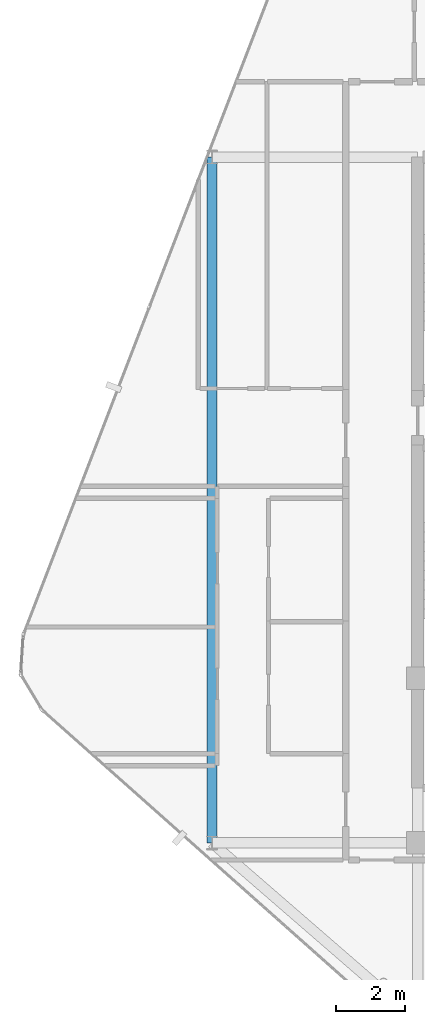
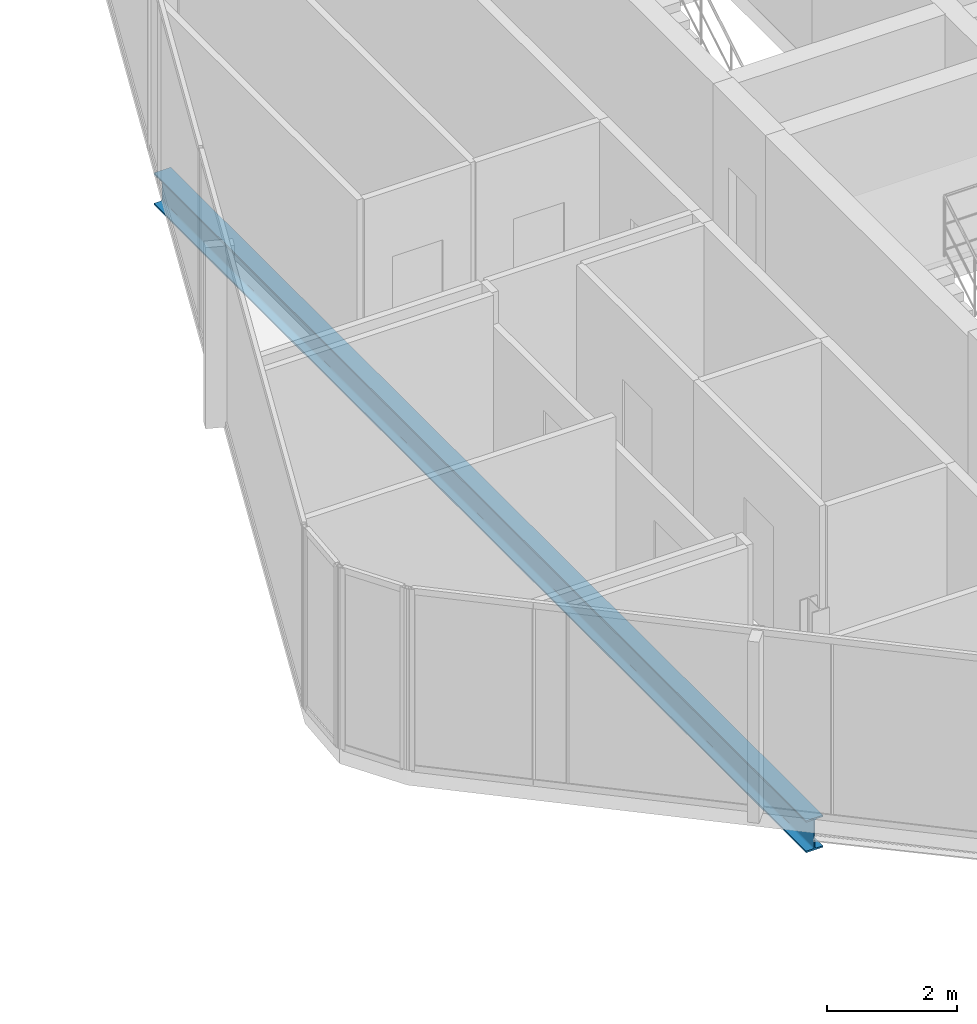
# One storey, part 9 of 27: 1 beam.
"""IFC4 building model written with IfcOpenShell, lengths in metres."""

from ifc_helpers import new_model, si_unit, direction, frame, origin, origin_2d, place, context, subcontext, project, spatial, i_section, extrude, material, material_profile, profile_set, type_object, element, save


model = new_model("IFC4")

# Units and contexts
model_context = context("Model", 3, precision=1e-05, world=origin(), true_north=direction((0.0, 1.0)))
body_context = subcontext(model_context, "Body", "Model", "MODEL_VIEW")
ifc_project = project(units=[si_unit("LENGTHUNIT", "METRE"), si_unit("AREAUNIT", "SQUARE_METRE"), si_unit("VOLUMEUNIT", "CUBIC_METRE"), si_unit("PLANEANGLEUNIT", "RADIAN"), si_unit("MASSUNIT", "GRAM", prefix="KILO")], contexts=[model_context])

# Site, building, storey
site_placement = place(None, origin())
site = spatial("IfcSite", under=ifc_project, at=site_placement, CompositionType="ELEMENT")
building_placement = place(site_placement, origin())
building = spatial("IfcBuilding", under=site, at=building_placement, Name="Keshet Zoharim Tower", CompositionType="ELEMENT")
storey_placement = place(building_placement, frame((0.0, 0.0, 288.0)))
storey = spatial("IfcBuildingStorey", under=building, at=storey_placement, Name="L72", CompositionType="ELEMENT", Elevation=288.0)

# Beam
ifc_material = material(Name="Steel S355", Category="steel")
ifc_material_profile = material_profile(ifc_material, i_section(OverallWidth=0.300048828125, OverallDepth=0.60009765625, WebThickness=0.015380859375, FlangeThickness=0.030029296875, FilletRadius=0.027099609375, at=origin_2d()), Name="HEB600")
ifc_profile_set = profile_set([ifc_material_profile], Name="Steel S355")
beam_type = type_object("IfcBeamType", Name="BM-LNG-HB600", PredefinedType="BEAM", material=ifc_profile_set)
beam_placement = place(storey_placement, frame((9.0, 17.89990234375, -0.610107421875), z_axis=(0.0, 1.0, 0.0), x_axis=(-1.0, 0.0, 0.0)))
element("IfcBeam", 1, at=beam_placement, inside=storey, type_object=beam_type, Name="L72 Primary Girder Y-001", PredefinedType="BEAM", context=body_context, shape_type="SweptSolid", body=[
    extrude(i_section(OverallWidth=0.300048828125, OverallDepth=0.60009765625, WebThickness=0.015380859375, FlangeThickness=0.030029296875, FilletRadius=0.027099609375, at=origin_2d()), origin(), (0.0, 0.0, 1.0), 20.0),
])

save(model, "model.ifc")
